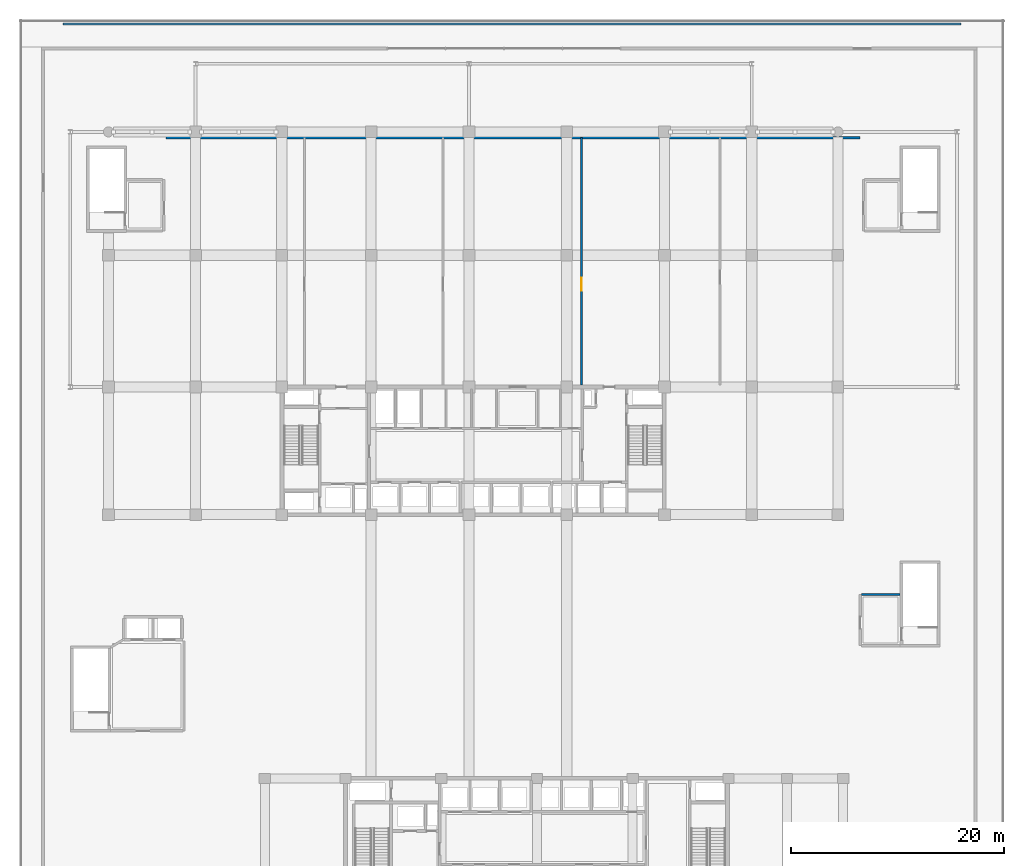
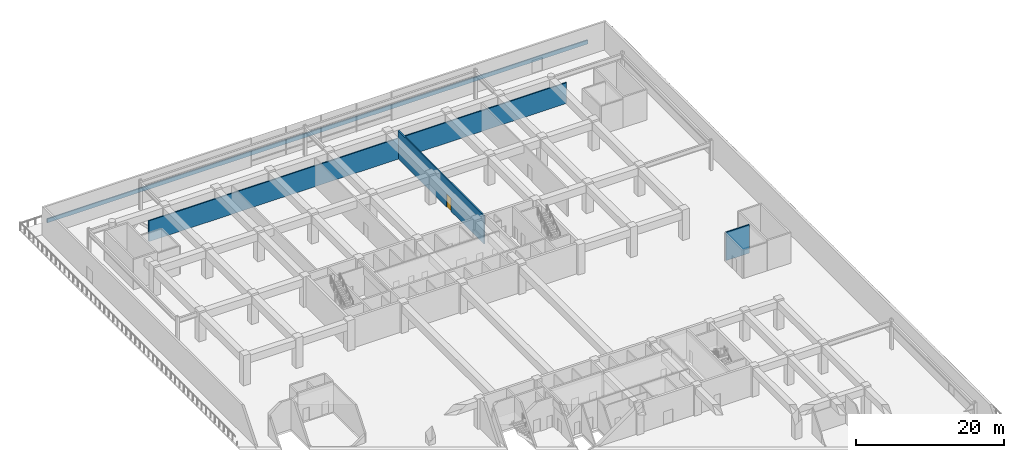
# One storey, part 30 of 38: 4 walls, 1 door, 1 opening.
"""IFC4 building model written with IfcOpenShell, lengths in metres."""

from ifc_helpers import new_model, si_unit, direction, frame, frame_2d, origin, place, context, subcontext, project, spatial, rectangle, extrude, material, layer, layer_set, type_object, element, fill, save


model = new_model("IFC4")

# Units and contexts
model_context = context("Model", 3, precision=1e-05, world=origin(), true_north=direction((0.0, 1.0)))
body_context = subcontext(model_context, "Body", "Model", "MODEL_VIEW")
ifc_project = project(units=[si_unit("LENGTHUNIT", "METRE"), si_unit("AREAUNIT", "SQUARE_METRE"), si_unit("VOLUMEUNIT", "CUBIC_METRE"), si_unit("PLANEANGLEUNIT", "RADIAN"), si_unit("MASSUNIT", "GRAM", prefix="KILO")], contexts=[model_context])

# Site, building, storey
site_placement = place(None, origin())
site = spatial("IfcSite", under=ifc_project, at=site_placement, CompositionType="ELEMENT")
building_placement = place(site_placement, origin())
building = spatial("IfcBuilding", under=site, at=building_placement, Name="Korimba Cascade Residences", CompositionType="ELEMENT")
storey_placement = place(building_placement, frame((0.0, 0.0, 19.0)))
storey = spatial("IfcBuildingStorey", under=building, at=storey_placement, Name="L04", CompositionType="ELEMENT", Elevation=19.0)

# Walls
ifc_material_1 = material(Name="Precast concrete C40/50", Category="concrete")
ifc_layer_1 = layer(ifc_material_1, 0.199951171875)
ifc_layer_set_1 = layer_set([ifc_layer_1], Name="Precast concrete C40/50")
wall_type_1 = type_object("IfcWallType", Name="EW-PLANTER-200", PredefinedType="PARAPET", material=ifc_layer_set_1)
wall_1_placement = place(storey_placement, frame((140.0, 101.35009765625, 0.0), z_axis=(0.0, 0.0, 1.0), x_axis=(-1.0, 0.0, 0.0)))
element("IfcWall", 1, at=wall_1_placement, inside=storey, type_object=wall_type_1, Name="L04 Cascading Terrace Stone PLANTER Box N", PredefinedType="PARAPET", context=body_context, shape_type="SweptSolid", body=[
    extrude(rectangle(XDim=84.5, YDim=0.199951171875, at=frame_2d((42.25, 0.0))), origin(), (0.0, 0.0, 1.0), 0.64990234375),
])
ifc_material_2 = material(Name="Concrete C40/50", Category="concrete")
ifc_layer_2 = layer(ifc_material_2, 0.199951171875)
ifc_layer_set_2 = layer_set([ifc_layer_2], Name="Concrete C40/50")
wall_type_2 = type_object("IfcWallType", Name="WAL-PART-200", PredefinedType="PARTITIONING", material=ifc_layer_set_2)
wall_2_placement = place(storey_placement, frame((130.60009765625, 47.699951171875, 0.0), z_axis=(0.0, 0.0, 1.0), x_axis=(1.0, 0.0, 0.0)))
element("IfcWall", 2, at=wall_2_placement, inside=storey, type_object=wall_type_2, Name="L04 Partition Wall CW-L04-PLEN", PredefinedType="PARTITIONING", context=body_context, shape_type="SweptSolid", body=[
    extrude(rectangle(XDim=3.64990234375, YDim=0.199951171875, at=frame_2d((1.824951171875, 0.0))), origin(), (0.0, 0.0, 1.0), 4.679931640625),
])

# Wall, opening, door
wall_3_placement = place(storey_placement, frame((104.280029296875, 67.39990234375, 0.0), z_axis=(0.0, 0.0, 1.0), x_axis=(0.0, 1.0, 0.0)))
wall_3 = element("IfcWall", 3, at=wall_3_placement, inside=storey, type_object=wall_type_2, Name="L04 Partition Wall WAL-L04-NDIV3", PredefinedType="PARTITIONING", context=body_context, shape_type="SweptSolid", body=[
    extrude(rectangle(XDim=23.25, YDim=0.199951171875, at=frame_2d((11.625, 0.0))), origin(), (0.0, 0.0, 1.0), 4.679931640625),
])
opening_placement = place(wall_3_placement, frame((8.85205078125, 0.0, 0.0)))
opening = element("IfcOpeningElement", 4, at=opening_placement, cuts=wall_3, Name="Opening D-AM1", PredefinedType="OPENING", context=body_context, shape_type="SweptSolid", body=[
    extrude(rectangle(XDim=1.219970703125, YDim=2.179931640625, at=frame_2d((0.60986328125, 1.08984375))), frame((0.0, 0.10986328125, 0.0), z_axis=(0.0, -1.0, 0.0), x_axis=(1.0, 0.0, 0.0)), (0.0, 0.0, 1.0), 0.219970703125),
])
ifc_material_3 = material(Name="Fire-Rated Glazed Timber Suite Door", Category="wood")
door_type = type_object("IfcDoorType", Name="DR-FD60-1200", OperationType="NOTDEFINED", PredefinedType="DOOR", material=ifc_material_3)
door_placement = place(opening_placement, origin())
door = element("IfcDoor", 5, at=door_placement, inside=storey, type_object=door_type, Name="L04 North Podium Link Door 3", OperationType="SINGLE_SWING_LEFT", OverallHeight=2.179931640625, OverallWidth=1.219970703125, PredefinedType="DOOR", context=body_context, shape_type="SweptSolid", body=[
    extrude(rectangle(XDim=1.219970703125, YDim=2.179931640625, at=frame_2d((0.60986328125, 1.08984375))), frame((0.0, 0.02490234375, 0.0), z_axis=(0.0, -1.0, 0.0), x_axis=(1.0, 0.0, 0.0)), (0.0, 0.0, 1.0), 0.050048828125),
])
fill(opening, door)

# Wall
wall_4_placement = place(storey_placement, frame((65.199951171875, 90.64990234375, 0.0), z_axis=(0.0, 0.0, 1.0), x_axis=(1.0, 0.0, 0.0)))
element("IfcWall", 6, at=wall_4_placement, inside=storey, type_object=wall_type_2, Name="L04 Partition Wall WAL-L04-NPN", PredefinedType="PARTITIONING", context=body_context, shape_type="SweptSolid", body=[
    extrude(rectangle(XDim=65.300048828125, YDim=0.199951171875, at=frame_2d((32.64990234375, 0.0))), origin(), (0.0, 0.0, 1.0), 3.429931640625),
])

save(model, "model.ifc")
